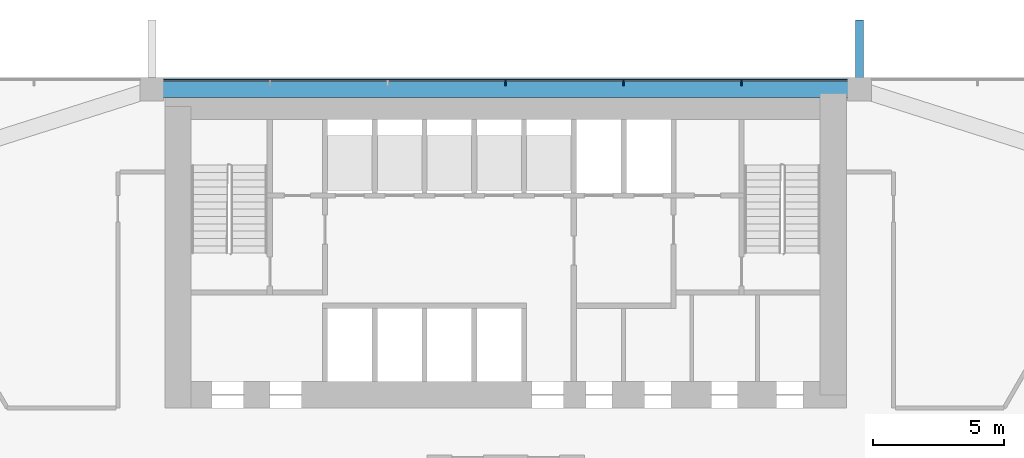
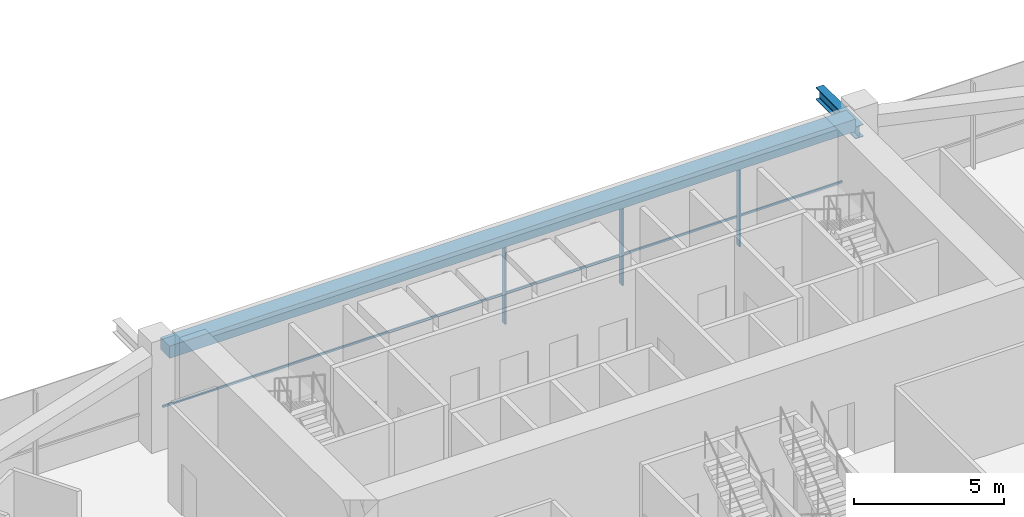
# One storey, part 6 of 15: 5 members, 1 beam, 1 element without a shape of its own.
"""IFC4 building model written with IfcOpenShell, lengths in metres."""

from ifc_helpers import new_model, si_unit, direction, frame, origin, origin_2d, place, context, subcontext, project, spatial, rectangle, i_section, extrude, material, layer, layer_set, material_profile, profile_set, type_object, element, aggregate, save


model = new_model("IFC4")

# Units and contexts
model_context = context("Model", 3, precision=1e-05, world=origin(), true_north=direction((0.0, 1.0)))
body_context = subcontext(model_context, "Body", "Model", "MODEL_VIEW")
ifc_project = project(units=[si_unit("LENGTHUNIT", "METRE"), si_unit("AREAUNIT", "SQUARE_METRE"), si_unit("VOLUMEUNIT", "CUBIC_METRE"), si_unit("PLANEANGLEUNIT", "RADIAN"), si_unit("MASSUNIT", "GRAM", prefix="KILO")], contexts=[model_context])

# Site, building, storey
site_placement = place(None, origin())
site = spatial("IfcSite", under=ifc_project, at=site_placement, CompositionType="ELEMENT")
building_placement = place(site_placement, origin())
building = spatial("IfcBuilding", under=site, at=building_placement, Name="Altiplano Prism Tower", CompositionType="ELEMENT")
storey_placement = place(building_placement, frame((0.0, 0.0, 22.5)))
storey = spatial("IfcBuildingStorey", under=building, at=storey_placement, Name="L04", CompositionType="ELEMENT", Elevation=22.5)

# Member
ifc_material_1 = material(Name="Steel S355", Category="steel")
ifc_material_profile_1 = material_profile(ifc_material_1, i_section(OverallWidth=0.300048828125, OverallDepth=0.5, WebThickness=0.014404296875, FlangeThickness=0.028076171875, FilletRadius=0.027099609375, at=origin_2d()), Name="Brace bracket HEB 500")
ifc_profile_set_1 = profile_set([ifc_material_profile_1], Name="Steel S355")
member_type_1 = type_object("IfcMemberType", Name="Brace bracket HEB 500", PredefinedType="STRUT", material=ifc_profile_set_1)
member_1_placement = place(storey_placement, frame((98.5, 104.550048828125, 3.19140625), z_axis=(0.0, 1.0, 0.0), x_axis=(-1.0, 0.0, 0.0)))
element("IfcMember", 1, at=member_1_placement, inside=storey, type_object=member_type_1, Name="Brace bracket 0.27", PredefinedType="STRUT", context=body_context, shape_type="SweptSolid", body=[
    extrude(i_section(OverallWidth=0.300048828125, OverallDepth=0.5, WebThickness=0.014404296875, FlangeThickness=0.028076171875, FilletRadius=0.027099609375, at=origin_2d()), origin(), (0.0, 0.0, 1.0), 2.64990234375),
])

# Curtain wall, members
ifc_material_2 = material(Name="Aluminium and glass", Category="aluminium")
ifc_layer = layer(ifc_material_2, 0.303955078125)
ifc_layer_set = layer_set([ifc_layer], Name="Aluminium and glass")
curtain_wall_type = type_object("IfcCurtainWallType", Name="CW2 lounge-band unitised glazing", PredefinedType="NOTDEFINED", material=ifc_layer_set)
curtain_wall_placement = place(storey_placement, origin())
curtain_wall = element("IfcCurtainWall", 2, at=curtain_wall_placement, inside=storey, type_object=curtain_wall_type, Name="CW2 glazing north face L04", PredefinedType="NOTDEFINED")
ifc_material_3 = material(Name="Aluminium", Category="aluminium")
ifc_material_profile_2 = material_profile(ifc_material_3, rectangle(XDim=0.199951171875, YDim=0.06005859375, at=origin_2d()), Name="CW2 mullion 60 x 200")
ifc_profile_set_2 = profile_set([ifc_material_profile_2], Name="Aluminium")
member_type_2 = type_object("IfcMemberType", Name="CW2 mullion 60 x 200", PredefinedType="MULLION", material=ifc_profile_set_2)
member_2_placement = place(storey_placement, frame((94.0, 104.7958984375, 0.0), z_axis=(0.0, 0.0, 1.0), x_axis=(0.0, -1.0, 0.0)))
member_2 = element("IfcMember", 3, at=member_2_placement, type_object=member_type_2, Name="CW2 mullion", PredefinedType="MULLION", context=body_context, shape_type="SweptSolid", body=[
    extrude(rectangle(XDim=0.199951171875, YDim=0.06005859375, at=origin_2d()), origin(), (0.0, 0.0, 1.0), 3.5),
])
member_3_placement = place(storey_placement, frame((89.5, 104.7958984375, 0.0), z_axis=(0.0, 0.0, 1.0), x_axis=(0.0, -1.0, 0.0)))
member_3 = element("IfcMember", 4, at=member_3_placement, type_object=member_type_2, Name="CW2 mullion", PredefinedType="MULLION", context=body_context, shape_type="SweptSolid", body=[
    extrude(rectangle(XDim=0.199951171875, YDim=0.06005859375, at=origin_2d()), origin(), (0.0, 0.0, 1.0), 3.5),
])
member_4_placement = place(storey_placement, frame((85.0, 104.7958984375, 0.0), z_axis=(0.0, 0.0, 1.0), x_axis=(0.0, -1.0, 0.0)))
member_4 = element("IfcMember", 5, at=member_4_placement, type_object=member_type_2, Name="CW2 mullion", PredefinedType="MULLION", context=body_context, shape_type="SweptSolid", body=[
    extrude(rectangle(XDim=0.199951171875, YDim=0.06005859375, at=origin_2d()), origin(), (0.0, 0.0, 1.0), 3.5),
])
ifc_material_profile_3 = material_profile(ifc_material_3, rectangle(XDim=0.06005859375, YDim=0.080078125, at=origin_2d()), Name="CW2 transom 80 x 60")
ifc_profile_set_3 = profile_set([ifc_material_profile_3], Name="Aluminium")
member_type_3 = type_object("IfcMemberType", Name="CW2 transom 80 x 60", PredefinedType="USERDEFINED", material=ifc_profile_set_3)
member_5_placement = place(storey_placement, frame((98.050048828125, 104.926025390625, 1.10009765625), z_axis=(-1.0, 0.0, 0.0), x_axis=(0.0, -1.0, 0.0)))
member_5 = element("IfcMember", 6, at=member_5_placement, type_object=member_type_3, Name="CW2 transom", ObjectType="TRANSOM", PredefinedType="USERDEFINED", context=body_context, shape_type="SweptSolid", body=[
    extrude(rectangle(XDim=0.06005859375, YDim=0.080078125, at=origin_2d()), origin(), (0.0, 0.0, 1.0), 26.10009765625),
])
aggregate(curtain_wall, [member_2, member_3, member_4, member_5])

# Beam
ifc_material_4 = material(Name="Concrete C60/75", Category="concrete")
ifc_material_profile_4 = material_profile(ifc_material_4, rectangle(XDim=0.60009765625, YDim=0.5, at=origin_2d()), Name="Edge beam 600x500")
ifc_profile_set_4 = profile_set([ifc_material_profile_4], Name="Concrete C60/75")
beam_type = type_object("IfcBeamType", Name="Edge beam 600x500", PredefinedType="SPANDREL", material=ifc_profile_set_4)
beam_placement = place(storey_placement, frame((98.169921875, 104.550048828125, 3.75), z_axis=(-1.0, 0.0, 0.0), x_axis=(0.0, -1.0, 0.0)))
element("IfcBeam", 7, at=beam_placement, inside=storey, type_object=beam_type, Name="Edge beam P01-P04 L05", PredefinedType="SPANDREL", context=body_context, shape_type="SweptSolid", body=[
    extrude(rectangle(XDim=0.60009765625, YDim=0.5, at=origin_2d()), origin(), (0.0, 0.0, 1.0), 26.33984375),
])

save(model, "model.ifc")
